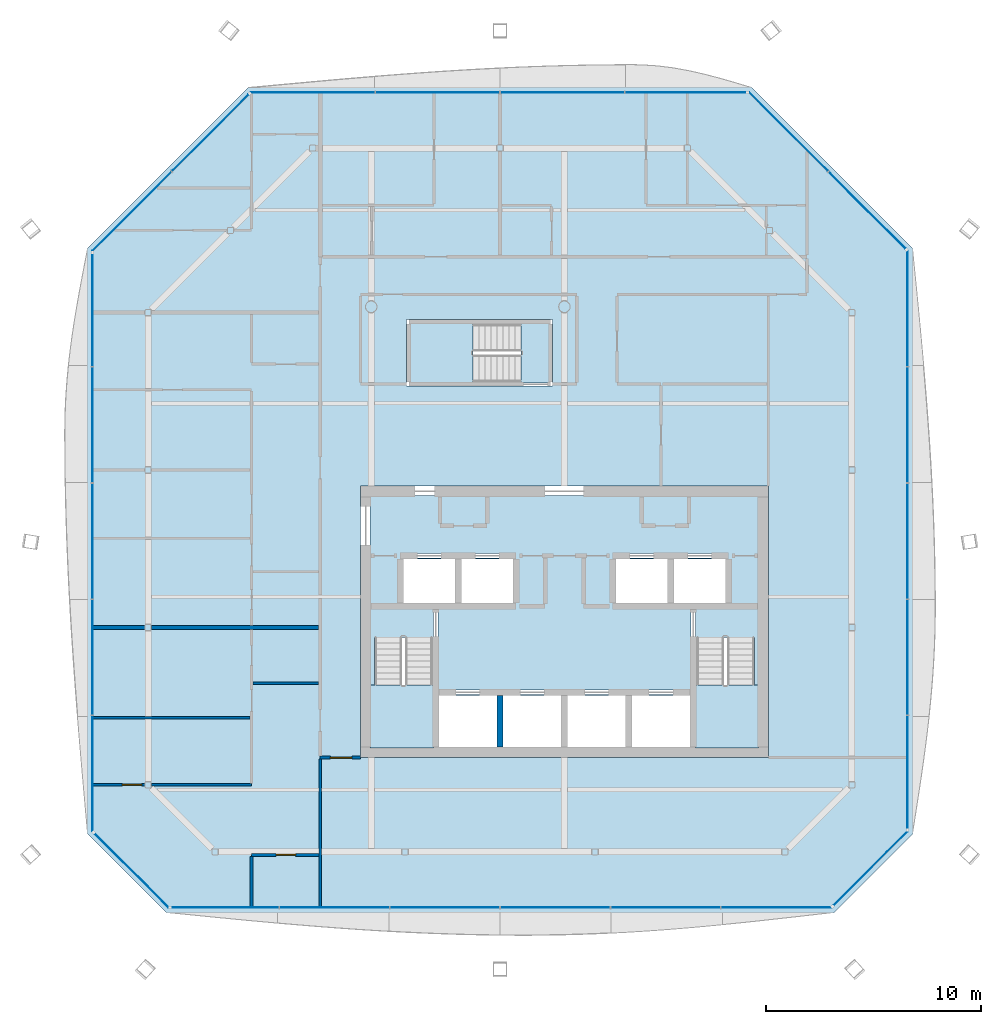
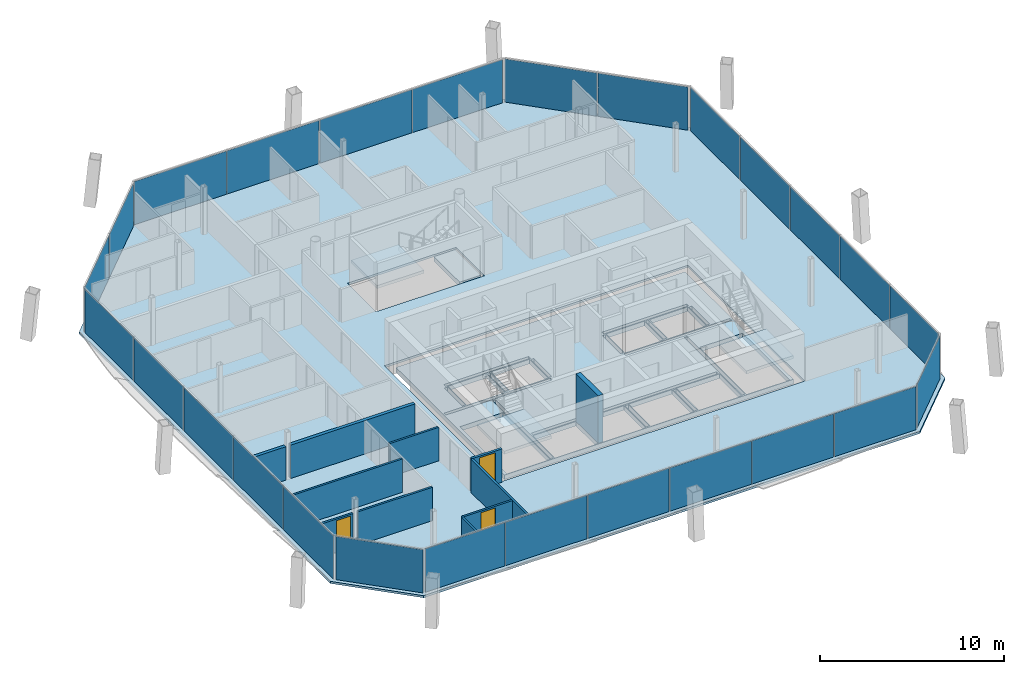
# One storey, part 11 of 18: 26 plates, 11 walls, 6 slabs, 3 doors, 3 openings, 11 elements without a shape of their own.
"""IFC4 building model written with IfcOpenShell, lengths in metres."""

import ifcopenshell
import ifcopenshell.guid

model = None  # the IFC model being written
_history = None  # IfcOwnerHistory: only IFC2X3 demands one
_inside = {}  # id of a spatial element -> (the spatial element, [elements in it])
_under = {}  # id of a project, library or spatial element -> (it, [spatial elements below it])
_declared = {}  # id of a project -> (the project, [libraries it declares])
_typed = {}  # id of a type object -> (the type object, [elements of that type])
_made_of = {}  # id of a material, layer set ... -> (it, [elements and type objects made of it])


def new_model(schema):
    """Start an empty IFC model of exactly this schema.

    Asked for "IFC4X3", IfcOpenShell would pick the latest addendum, in which some entities
    have other attributes; the version numbers below select the first issue.
    IFC2X3 requires an IfcOwnerHistory on every rooted entity: one is made here for all.
    """
    global model, _history
    if schema == "IFC4X3":
        model = ifcopenshell.file(schema_version=(4, 3, 0, 0))
    else:
        model = ifcopenshell.file(schema=schema)
    _inside.clear()
    _under.clear()
    _declared.clear()
    _typed.clear()
    _made_of.clear()
    _history = None
    if model.schema == "IFC2X3":
        org = make("IfcOrganization", Name="unknown")
        user = make(
            "IfcPersonAndOrganization",
            ThePerson=make("IfcPerson", FamilyName="unknown"),
            TheOrganization=org,
        )
        app = make(
            "IfcApplication",
            ApplicationDeveloper=org,
            Version="unknown",
            ApplicationFullName="unknown",
            ApplicationIdentifier="unknown",
        )
        _history = make(
            "IfcOwnerHistory",
            OwningUser=user,
            OwningApplication=app,
            ChangeAction="ADDED",
            CreationDate=0,
        )
    return model


def make(cls, **values):
    """One entity of the class cls with the attributes given. An attribute that is None is left unset."""
    return model.create_entity(
        cls, **{name: value for name, value in values.items() if value is not None}
    )


def rooted(cls, **values):
    """An entity with a GlobalId (a new one), such as an element, a storey or a relation."""
    return make(cls, GlobalId=ifcopenshell.guid.new(), OwnerHistory=_history, **values)


def si_unit(unit_type, name, prefix=None):
    """IfcSIUnit, for example si_unit("LENGTHUNIT", "METRE", prefix="MILLI")."""
    return make("IfcSIUnit", UnitType=unit_type, Prefix=prefix, Name=name)


def assignment(units):
    """IfcUnitAssignment: the units of a project."""
    return None if units is None else make("IfcUnitAssignment", Units=units)


def point(xyz):
    """IfcCartesianPoint."""
    return None if xyz is None else make("IfcCartesianPoint", Coordinates=xyz)


def direction(xyz):
    """IfcDirection."""
    return None if xyz is None else make("IfcDirection", DirectionRatios=xyz)


def frame(location, z_axis=None, x_axis=None):
    """IfcAxis2Placement3D, a coordinate frame: its origin and axes. An axis left out is left unset."""
    return make(
        "IfcAxis2Placement3D",
        Location=point(location),
        Axis=direction(z_axis),
        RefDirection=direction(x_axis),
    )


def frame_2d(location, x_axis=None):
    """IfcAxis2Placement2D, a coordinate frame in the plane: its origin and x axis."""
    return make(
        "IfcAxis2Placement2D", Location=point(location), RefDirection=direction(x_axis)
    )


def origin():
    """The frame at (0, 0, 0) with its axes left unset."""
    return frame((0.0, 0.0, 0.0))


def origin_2d():
    """The frame at (0, 0) in the plane with its x axis left unset."""
    return frame_2d((0.0, 0.0))


def place(relative_to, where):
    """IfcLocalPlacement: puts the frame where relative to a parent placement (None: the world)."""
    return make(
        "IfcLocalPlacement", PlacementRelTo=relative_to, RelativePlacement=where
    )


def context(
    kind, dimensions, precision=None, world=None, true_north=None, identifier=None
):
    """IfcGeometricRepresentationContext, for example the 3D "Model" context."""
    return make(
        "IfcGeometricRepresentationContext",
        ContextIdentifier=identifier,
        ContextType=kind,
        CoordinateSpaceDimension=dimensions,
        Precision=precision,
        WorldCoordinateSystem=world,
        TrueNorth=true_north,
    )


def subcontext(parent, identifier, kind, view, scale=None):
    """IfcGeometricRepresentationSubContext, for example "Body" below "Model"."""
    return make(
        "IfcGeometricRepresentationSubContext",
        ContextIdentifier=identifier,
        ContextType=kind,
        ParentContext=parent,
        TargetScale=scale,
        TargetView=view,
    )


def project(units=None, contexts=None):
    """IfcProject with its units and contexts."""
    return rooted(
        "IfcProject",
        Name="project",
        RepresentationContexts=contexts,
        UnitsInContext=assignment(units),
    )


def spatial(cls, under=None, at=None, **own):
    """A site, building, storey or space (cls), placed at a placement, below another one or the project."""
    s = rooted(cls, ObjectPlacement=at, **own)
    if under is not None:
        _under.setdefault(under.id(), (under, []))[1].append(s)
    return s


def polyline(points):
    """IfcPolyline through the points."""
    return make("IfcPolyline", Points=[point(p) for p in points])


def profile(cls, at=None, kind="AREA", **sizes):
    """A parametric profile (cls). Its sizes go by their IFC names, for example OverallWidth=200.0."""
    return make(cls, ProfileType=kind, Position=at, **sizes)


def rectangle(**sizes):
    """IfcRectangleProfileDef."""
    return profile("IfcRectangleProfileDef", **sizes)


def outline(outer, holes=None, kind="AREA"):
    """IfcArbitraryClosedProfileDef: a profile drawn as a closed curve; with holes, ...WithVoids."""
    if holes is None:
        return make("IfcArbitraryClosedProfileDef", ProfileType=kind, OuterCurve=outer)
    return make(
        "IfcArbitraryProfileDefWithVoids",
        ProfileType=kind,
        OuterCurve=outer,
        InnerCurves=holes,
    )


def extrude(swept, where, along, depth):
    """IfcExtrudedAreaSolid: the profile swept, set in the frame where, extruded along a direction by depth."""
    return make(
        "IfcExtrudedAreaSolid",
        SweptArea=swept,
        Position=where,
        ExtrudedDirection=direction(along),
        Depth=depth,
    )


def shape(context_of_items, identifier, shape_type, items):
    """IfcShapeRepresentation: the items that make up one representation, for example the "Body"."""
    return make(
        "IfcShapeRepresentation",
        ContextOfItems=context_of_items,
        RepresentationIdentifier=identifier,
        RepresentationType=shape_type,
        Items=items,
    )


def material(Name=None, Category=None):
    """IfcMaterial."""
    return make("IfcMaterial", Name=Name, Category=Category)


def layer(
    of_material, thickness, ventilated=None, Name=None, Category=None, Priority=None
):
    """IfcMaterialLayer: one layer of a wall or slab, of a material (None: an air gap)."""
    return make(
        "IfcMaterialLayer",
        Material=of_material,
        LayerThickness=thickness,
        IsVentilated=ventilated,
        Name=Name,
        Category=Category,
        Priority=Priority,
    )


def layer_set(layers, Name=None):
    """IfcMaterialLayerSet."""
    return make("IfcMaterialLayerSet", MaterialLayers=layers, LayerSetName=Name)


def made_of(thing, what):
    """Note that an element or type object is made of a material, layer set ...; save() writes the relation."""
    if what is not None:
        _made_of.setdefault(what.id(), (what, []))[1].append(thing)
    return thing


def type_object(cls, material=None, **own):
    """A type object (cls), such as IfcWallType, which elements share."""
    return made_of(rooted(cls, **own), material)


def element(
    cls,
    number,
    at=None,
    inside=None,
    cuts=None,
    type_object=None,
    material=None,
    context=None,
    identifier="Body",
    shape_type=None,
    held_by="IfcProductDefinitionShape",
    body=None,
    shapes=None,
    **own,
):
    """One element of the class cls, such as IfcWall. Its Tag is "e" and its number.

    at: its placement. inside: the storey or other place that contains it. cuts: it is an
    opening in that element (IfcRelVoidsElement). A single representation is given by context,
    identifier, shape_type and body (its items); several are given by shapes. held_by: the class
    of the entity that holds the representations. save() writes the other relations.
    """
    e = rooted(cls, Tag="e%d" % number, ObjectPlacement=at, **own)
    if body is not None:
        shapes = [shape(context, identifier, shape_type, body)]
    if shapes is not None:
        e.Representation = make(held_by, Representations=shapes)
    if inside is not None:
        _inside.setdefault(inside.id(), (inside, []))[1].append(e)
    if cuts is not None:
        rooted(
            "IfcRelVoidsElement", RelatingBuildingElement=cuts, RelatedOpeningElement=e
        )
    if type_object is not None:
        _typed.setdefault(type_object.id(), (type_object, []))[1].append(e)
    return made_of(e, material)


def fill(opening, filler):
    """IfcRelFillsElement: the door or window that sits in an opening."""
    return rooted(
        "IfcRelFillsElement",
        RelatingOpeningElement=opening,
        RelatedBuildingElement=filler,
    )


def aggregate(whole, parts):
    """IfcRelAggregates: a whole, such as a stair, and the parts it consists of."""
    return rooted("IfcRelAggregates", RelatingObject=whole, RelatedObjects=parts)


def save(model, path):
    """Write the relations noted so far, then the file.

    IfcRelAggregates (storeys below a building ...), IfcRelContainedInSpatialStructure (elements
    in a storey), IfcRelDefinesByType, IfcRelAssociatesMaterial and IfcRelDeclares: one each for
    every whole, place, type object, material and project.
    """
    for whole, parts in _under.values():
        aggregate(whole, parts)
    for where, things in _inside.values():
        rooted(
            "IfcRelContainedInSpatialStructure",
            RelatedElements=things,
            RelatingStructure=where,
        )
    for kind, things in _typed.values():
        rooted("IfcRelDefinesByType", RelatedObjects=things, RelatingType=kind)
    for what, things in _made_of.values():
        rooted("IfcRelAssociatesMaterial", RelatedObjects=things, RelatingMaterial=what)
    for by, libraries in _declared.values():
        rooted("IfcRelDeclares", RelatingContext=by, RelatedDefinitions=libraries)
    model.write(path)


model = new_model("IFC4")

# Units and contexts
model_context = context("Model", 3, precision=1e-05, world=origin(), true_north=direction((0.0, 1.0)))
body_context = subcontext(model_context, "Body", "Model", "MODEL_VIEW")
ifc_project = project(units=[si_unit("LENGTHUNIT", "METRE"), si_unit("AREAUNIT", "SQUARE_METRE"), si_unit("VOLUMEUNIT", "CUBIC_METRE"), si_unit("PLANEANGLEUNIT", "RADIAN"), si_unit("MASSUNIT", "GRAM", prefix="KILO")], contexts=[model_context])

# Site, building, storey
site_placement = place(None, origin())
site = spatial("IfcSite", under=ifc_project, at=site_placement, CompositionType="ELEMENT")
building_placement = place(site_placement, origin())
building = spatial("IfcBuilding", under=site, at=building_placement, Name="Tskaro Facet Tower", CompositionType="ELEMENT")
storey_placement = place(building_placement, frame((0.0, 0.0, 220.35009765625)))
storey = spatial("IfcBuildingStorey", under=building, at=storey_placement, Name="L56", CompositionType="ELEMENT", Elevation=220.35009765625)

# Slab
ifc_material_1 = material(Name="Concrete C30/37", Category="concrete")
ifc_layer_1 = layer(ifc_material_1, 0.139892578125, Name="Concrete C30/37")
ifc_layer_set_1 = layer_set([ifc_layer_1], Name="Concrete C30/37")
slab_type_1 = type_object("IfcSlabType", Name="Composite deck floor slab", PredefinedType="FLOOR", material=ifc_layer_set_1)
slab_1_placement = place(storey_placement, frame((0.0, 0.0, -0.14013671875)))
element("IfcSlab", 1, at=slab_1_placement, inside=storey, type_object=slab_type_1, Name="Floor slab FS3 L56", PredefinedType="FLOOR", context=body_context, shape_type="SweptSolid", body=[
    extrude(outline(polyline([(-18.5390625, -19.235107421875), (12.5390625, -19.235107421875), (16.235107421875, -15.5390625), (16.235107421875, 11.712890625), (8.712890625, 19.235107421875), (-14.712890625, 19.235107421875), (-22.235107421875, 11.712890625), (-22.235107421875, -15.5390625), (-18.5390625, -19.235107421875)]), holes=[polyline([(-9.5, -12.0), (9.5, -12.0), (9.5, 0.64990234375), (-9.5, 0.64990234375), (-9.5, -12.0)]), polyline([(-7.35009765625, 5.300048828125), (-0.550048828125, 5.300048828125), (-0.550048828125, 8.39990234375), (-7.35009765625, 8.39990234375), (-7.35009765625, 5.300048828125)])]), origin(), (0.0, 0.0, 1.0), 0.14013671875),
])

# Curtain wall, plates
ifc_material_2 = material(Name="Bronze anodised aluminium 6063-T6", Category="aluminium")
curtain_wall_type = type_object("IfcCurtainWallType", Name="Bronze residence curtain wall (FW3)", PredefinedType="NOTDEFINED", material=ifc_material_2)
curtain_wall_1_placement = place(storey_placement, origin())
curtain_wall_1 = element("IfcCurtainWall", 2, at=curtain_wall_1_placement, inside=storey, type_object=curtain_wall_type, Name="FW3 south facet L56", PredefinedType="NOTDEFINED")
ifc_material_3 = material(Name="Bronze low-iron glass", Category="glass")
ifc_layer_2 = layer(ifc_material_3, 0.028076171875, Name="Bronze low-iron glass")
ifc_layer_set_2 = layer_set([ifc_layer_2], Name="Bronze low-iron glass")
plate_type = type_object("IfcPlateType", Name="FW3 bronze-tinted unit glazing 28", PredefinedType="CURTAIN_PANEL", material=ifc_layer_set_2)
plate_1_placement = place(storey_placement, frame((-15.804931640625, -18.985107421875, 0.0), z_axis=(0.0, 0.0, 1.0), x_axis=(1.0, 0.0, 0.0)))
plate_1 = element("IfcPlate", 3, at=plate_1_placement, type_object=plate_type, Name="FW3 south glazing 1.1", PredefinedType="CURTAIN_PANEL", context=body_context, shape_type="SweptSolid", body=[
    extrude(rectangle(XDim=4.97998046875, YDim=0.028076171875, at=origin_2d()), origin(), (0.0, 0.0, 1.0), 2.860107421875),
])
plate_2_placement = place(storey_placement, frame((-10.717529296875, -18.985107421875, 0.0), z_axis=(0.0, 0.0, 1.0), x_axis=(1.0, 0.0, 0.0)))
plate_2 = element("IfcPlate", 4, at=plate_2_placement, type_object=plate_type, Name="FW3 south glazing 2.1", PredefinedType="CURTAIN_PANEL", context=body_context, shape_type="SweptSolid", body=[
    extrude(rectangle(XDim=5.094970703125, YDim=0.028076171875, at=origin_2d()), origin(), (0.0, 0.0, 1.0), 2.860107421875),
])
plate_3_placement = place(storey_placement, frame((-5.572509765625, -18.985107421875, 0.0), z_axis=(0.0, 0.0, 1.0), x_axis=(1.0, 0.0, 0.0)))
plate_3 = element("IfcPlate", 5, at=plate_3_placement, type_object=plate_type, Name="FW3 south glazing 3.1", PredefinedType="CURTAIN_PANEL", context=body_context, shape_type="SweptSolid", body=[
    extrude(rectangle(XDim=5.094970703125, YDim=0.028076171875, at=origin_2d()), origin(), (0.0, 0.0, 1.0), 2.860107421875),
])
plate_4_placement = place(storey_placement, frame((-0.427490234375, -18.985107421875, 0.0), z_axis=(0.0, 0.0, 1.0), x_axis=(1.0, 0.0, 0.0)))
plate_4 = element("IfcPlate", 6, at=plate_4_placement, type_object=plate_type, Name="FW3 south glazing 4.1", PredefinedType="CURTAIN_PANEL", context=body_context, shape_type="SweptSolid", body=[
    extrude(rectangle(XDim=5.094970703125, YDim=0.028076171875, at=origin_2d()), origin(), (0.0, 0.0, 1.0), 2.860107421875),
])
plate_5_placement = place(storey_placement, frame((4.717529296875, -18.985107421875, 0.0), z_axis=(0.0, 0.0, 1.0), x_axis=(1.0, 0.0, 0.0)))
plate_5 = element("IfcPlate", 7, at=plate_5_placement, type_object=plate_type, Name="FW3 south glazing 5.1", PredefinedType="CURTAIN_PANEL", context=body_context, shape_type="SweptSolid", body=[
    extrude(rectangle(XDim=5.094970703125, YDim=0.028076171875, at=origin_2d()), origin(), (0.0, 0.0, 1.0), 2.860107421875),
])
plate_6_placement = place(storey_placement, frame((9.875, -18.985107421875, 0.0), z_axis=(0.0, 0.0, 1.0), x_axis=(1.0, 0.0, 0.0)))
plate_6 = element("IfcPlate", 8, at=plate_6_placement, type_object=plate_type, Name="FW3 south glazing 6.1", PredefinedType="CURTAIN_PANEL", context=body_context, shape_type="SweptSolid", body=[
    extrude(rectangle(XDim=5.1201171875, YDim=0.028076171875, at=origin_2d()), origin(), (0.0, 0.0, 1.0), 2.860107421875),
])
aggregate(curtain_wall_1, [plate_1, plate_2, plate_3, plate_4, plate_5, plate_6])

# Curtain wall, plate
curtain_wall_2_placement = place(storey_placement, origin())
curtain_wall_2 = element("IfcCurtainWall", 9, at=curtain_wall_2_placement, inside=storey, type_object=curtain_wall_type, Name="FW3 south-east facet L56", PredefinedType="NOTDEFINED")
plate_7_placement = place(storey_placement, frame((14.259521484375, -17.160400390625, 0.0), z_axis=(0.0, 0.0, 1.0), x_axis=(0.707106781187, 0.707106781187, 0.0)))
plate_7 = element("IfcPlate", 10, at=plate_7_placement, type_object=plate_type, Name="FW3 south-east glazing 1.1", PredefinedType="CURTAIN_PANEL", context=body_context, shape_type="SweptSolid", body=[
    extrude(rectangle(XDim=4.88037109375, YDim=0.028076171875, at=origin_2d()), origin(), (0.0, 0.0, 1.0), 2.860107421875),
])
aggregate(curtain_wall_2, [plate_7])

# Curtain wall, plates
curtain_wall_3_placement = place(storey_placement, origin())
curtain_wall_3 = element("IfcCurtainWall", 11, at=curtain_wall_3_placement, inside=storey, type_object=curtain_wall_type, Name="FW3 east facet L56", PredefinedType="NOTDEFINED")
plate_8_placement = place(storey_placement, frame((15.985107421875, -12.673095703125, 0.0), z_axis=(0.0, 0.0, 1.0), x_axis=(0.0, 1.0, 0.0)))
plate_8 = element("IfcPlate", 12, at=plate_8_placement, type_object=plate_type, Name="FW3 east glazing 1.1", PredefinedType="CURTAIN_PANEL", context=body_context, shape_type="SweptSolid", body=[
    extrude(rectangle(XDim=5.243896484375, YDim=0.028076171875, at=origin_2d()), origin(), (0.0, 0.0, 1.0), 2.860107421875),
])
plate_9_placement = place(storey_placement, frame((15.985107421875, -7.32177734375, 0.0), z_axis=(0.0, 0.0, 1.0), x_axis=(0.0, 1.0, 0.0)))
plate_9 = element("IfcPlate", 13, at=plate_9_placement, type_object=plate_type, Name="FW3 east glazing 2.1", PredefinedType="CURTAIN_PANEL", context=body_context, shape_type="SweptSolid", body=[
    extrude(rectangle(XDim=5.35888671875, YDim=0.028076171875, at=origin_2d()), origin(), (0.0, 0.0, 1.0), 2.860107421875),
])
plate_10_placement = place(storey_placement, frame((15.985107421875, -1.9130859375, 0.0), z_axis=(0.0, 0.0, 1.0), x_axis=(0.0, 1.0, 0.0)))
plate_10 = element("IfcPlate", 14, at=plate_10_placement, type_object=plate_type, Name="FW3 east glazing 3.1", PredefinedType="CURTAIN_PANEL", context=body_context, shape_type="SweptSolid", body=[
    extrude(rectangle(XDim=5.35888671875, YDim=0.028076171875, at=origin_2d()), origin(), (0.0, 0.0, 1.0), 2.860107421875),
])
plate_11_placement = place(storey_placement, frame((15.985107421875, 3.495849609375, 0.0), z_axis=(0.0, 0.0, 1.0), x_axis=(0.0, 1.0, 0.0)))
plate_11 = element("IfcPlate", 15, at=plate_11_placement, type_object=plate_type, Name="FW3 east glazing 4.1", PredefinedType="CURTAIN_PANEL", context=body_context, shape_type="SweptSolid", body=[
    extrude(rectangle(XDim=5.35888671875, YDim=0.028076171875, at=origin_2d()), origin(), (0.0, 0.0, 1.0), 2.860107421875),
])
plate_12_placement = place(storey_placement, frame((15.985107421875, 8.9169921875, 0.0), z_axis=(0.0, 0.0, 1.0), x_axis=(0.0, 1.0, 0.0)))
plate_12 = element("IfcPlate", 16, at=plate_12_placement, type_object=plate_type, Name="FW3 east glazing 5.1", PredefinedType="CURTAIN_PANEL", context=body_context, shape_type="SweptSolid", body=[
    extrude(rectangle(XDim=5.3837890625, YDim=0.028076171875, at=origin_2d()), origin(), (0.0, 0.0, 1.0), 2.860107421875),
])
aggregate(curtain_wall_3, [plate_8, plate_9, plate_10, plate_11, plate_12])

curtain_wall_4_placement = place(storey_placement, origin())
curtain_wall_4 = element("IfcCurtainWall", 17, at=curtain_wall_4_placement, inside=storey, type_object=curtain_wall_type, Name="FW3 north-east facet L56", PredefinedType="NOTDEFINED")
plate_13_placement = place(storey_placement, frame((14.100341796875, 13.49365234375, 0.0), z_axis=(0.0, 0.0, 1.0), x_axis=(-0.707106781187, 0.707106781187, 0.0)))
plate_13 = element("IfcPlate", 18, at=plate_13_placement, type_object=plate_type, Name="FW3 north-east glazing 1.1", PredefinedType="CURTAIN_PANEL", context=body_context, shape_type="SweptSolid", body=[
    extrude(rectangle(XDim=5.050537109375, YDim=0.028076171875, at=origin_2d()), origin(), (0.0, 0.0, 1.0), 2.860107421875),
])
plate_14_placement = place(storey_placement, frame((10.444091796875, 17.14990234375, 0.0), z_axis=(0.0, 0.0, 1.0), x_axis=(-0.707106781187, 0.707106781187, 0.0)))
plate_14 = element("IfcPlate", 19, at=plate_14_placement, type_object=plate_type, Name="FW3 north-east glazing 2.1", PredefinedType="CURTAIN_PANEL", context=body_context, shape_type="SweptSolid", body=[
    extrude(rectangle(XDim=5.190673828125, YDim=0.028076171875, at=origin_2d()), origin(), (0.0, 0.0, 1.0), 2.860107421875),
])
aggregate(curtain_wall_4, [plate_13, plate_14])

curtain_wall_5_placement = place(storey_placement, origin())
curtain_wall_5 = element("IfcCurtainWall", 20, at=curtain_wall_5_placement, inside=storey, type_object=curtain_wall_type, Name="FW3 north facet L56", PredefinedType="NOTDEFINED")
plate_15_placement = place(storey_placement, frame((5.649169921875, 18.985107421875, 0.0), z_axis=(0.0, 0.0, 1.0), x_axis=(-1.0, 0.0, 0.0)))
plate_15 = element("IfcPlate", 21, at=plate_15_placement, type_object=plate_type, Name="FW3 north glazing 1.1", PredefinedType="CURTAIN_PANEL", context=body_context, shape_type="SweptSolid", body=[
    extrude(rectangle(XDim=5.639404296875, YDim=0.028076171875, at=origin_2d()), origin(), (0.0, 0.0, 1.0), 2.860107421875),
])
plate_16_placement = place(storey_placement, frame((-0.09765625, 18.985107421875, 0.0), z_axis=(0.0, 0.0, 1.0), x_axis=(-1.0, 0.0, 0.0)))
plate_16 = element("IfcPlate", 22, at=plate_16_placement, type_object=plate_type, Name="FW3 north glazing 2.1", PredefinedType="CURTAIN_PANEL", context=body_context, shape_type="SweptSolid", body=[
    extrude(rectangle(XDim=5.75439453125, YDim=0.028076171875, at=origin_2d()), origin(), (0.0, 0.0, 1.0), 2.860107421875),
])
plate_17_placement = place(storey_placement, frame((-5.90234375, 18.985107421875, 0.0), z_axis=(0.0, 0.0, 1.0), x_axis=(-1.0, 0.0, 0.0)))
plate_17 = element("IfcPlate", 23, at=plate_17_placement, type_object=plate_type, Name="FW3 north glazing 3.1", PredefinedType="CURTAIN_PANEL", context=body_context, shape_type="SweptSolid", body=[
    extrude(rectangle(XDim=5.75439453125, YDim=0.028076171875, at=origin_2d()), origin(), (0.0, 0.0, 1.0), 2.860107421875),
])
plate_18_placement = place(storey_placement, frame((-11.71923828125, 18.985107421875, 0.0), z_axis=(0.0, 0.0, 1.0), x_axis=(-1.0, 0.0, 0.0)))
plate_18 = element("IfcPlate", 24, at=plate_18_placement, type_object=plate_type, Name="FW3 north glazing 4.1", PredefinedType="CURTAIN_PANEL", context=body_context, shape_type="SweptSolid", body=[
    extrude(rectangle(XDim=5.779541015625, YDim=0.028076171875, at=origin_2d()), origin(), (0.0, 0.0, 1.0), 2.860107421875),
])
aggregate(curtain_wall_5, [plate_15, plate_16, plate_17, plate_18])

curtain_wall_6_placement = place(storey_placement, origin())
curtain_wall_6 = element("IfcCurtainWall", 25, at=curtain_wall_6_placement, inside=storey, type_object=curtain_wall_type, Name="FW3 north-west facet L56", PredefinedType="NOTDEFINED")
plate_19_placement = place(storey_placement, frame((-16.49365234375, 17.100341796875, 0.0), z_axis=(0.0, 0.0, 1.0), x_axis=(-0.707106781187, -0.707106781187, 0.0)))
plate_19 = element("IfcPlate", 26, at=plate_19_placement, type_object=plate_type, Name="FW3 north-west glazing 1.1", PredefinedType="CURTAIN_PANEL", context=body_context, shape_type="SweptSolid", body=[
    extrude(rectangle(XDim=5.050537109375, YDim=0.028076171875, at=origin_2d()), origin(), (0.0, 0.0, 1.0), 2.860107421875),
])
plate_20_placement = place(storey_placement, frame((-20.14990234375, 13.444091796875, 0.0), z_axis=(0.0, 0.0, 1.0), x_axis=(-0.707106781187, -0.707106781187, 0.0)))
plate_20 = element("IfcPlate", 27, at=plate_20_placement, type_object=plate_type, Name="FW3 north-west glazing 2.1", PredefinedType="CURTAIN_PANEL", context=body_context, shape_type="SweptSolid", body=[
    extrude(rectangle(XDim=5.190673828125, YDim=0.028076171875, at=origin_2d()), origin(), (0.0, 0.0, 1.0), 2.860107421875),
])
aggregate(curtain_wall_6, [plate_19, plate_20])

curtain_wall_7_placement = place(storey_placement, origin())
curtain_wall_7 = element("IfcCurtainWall", 28, at=curtain_wall_7_placement, inside=storey, type_object=curtain_wall_type, Name="FW3 west facet L56", PredefinedType="NOTDEFINED")
plate_21_placement = place(storey_placement, frame((-21.985107421875, 8.84716796875, 0.0), z_axis=(0.0, 0.0, 1.0), x_axis=(0.0, -1.0, 0.0)))
plate_21 = element("IfcPlate", 29, at=plate_21_placement, type_object=plate_type, Name="FW3 west glazing 1.1", PredefinedType="CURTAIN_PANEL", context=body_context, shape_type="SweptSolid", body=[
    extrude(rectangle(XDim=5.243896484375, YDim=0.028076171875, at=origin_2d()), origin(), (0.0, 0.0, 1.0), 2.860107421875),
])
plate_22_placement = place(storey_placement, frame((-21.985107421875, 3.495849609375, 0.0), z_axis=(0.0, 0.0, 1.0), x_axis=(0.0, -1.0, 0.0)))
plate_22 = element("IfcPlate", 30, at=plate_22_placement, type_object=plate_type, Name="FW3 west glazing 2.1", PredefinedType="CURTAIN_PANEL", context=body_context, shape_type="SweptSolid", body=[
    extrude(rectangle(XDim=5.35888671875, YDim=0.028076171875, at=origin_2d()), origin(), (0.0, 0.0, 1.0), 2.860107421875),
])
plate_23_placement = place(storey_placement, frame((-21.985107421875, -1.9130859375, 0.0), z_axis=(0.0, 0.0, 1.0), x_axis=(0.0, -1.0, 0.0)))
plate_23 = element("IfcPlate", 31, at=plate_23_placement, type_object=plate_type, Name="FW3 west glazing 3.1", PredefinedType="CURTAIN_PANEL", context=body_context, shape_type="SweptSolid", body=[
    extrude(rectangle(XDim=5.35888671875, YDim=0.028076171875, at=origin_2d()), origin(), (0.0, 0.0, 1.0), 2.860107421875),
])
plate_24_placement = place(storey_placement, frame((-21.985107421875, -7.32177734375, 0.0), z_axis=(0.0, 0.0, 1.0), x_axis=(0.0, -1.0, 0.0)))
plate_24 = element("IfcPlate", 32, at=plate_24_placement, type_object=plate_type, Name="FW3 west glazing 4.1", PredefinedType="CURTAIN_PANEL", context=body_context, shape_type="SweptSolid", body=[
    extrude(rectangle(XDim=5.35888671875, YDim=0.028076171875, at=origin_2d()), origin(), (0.0, 0.0, 1.0), 2.860107421875),
])
plate_25_placement = place(storey_placement, frame((-21.985107421875, -12.7431640625, 0.0), z_axis=(0.0, 0.0, 1.0), x_axis=(0.0, -1.0, 0.0)))
plate_25 = element("IfcPlate", 33, at=plate_25_placement, type_object=plate_type, Name="FW3 west glazing 5.1", PredefinedType="CURTAIN_PANEL", context=body_context, shape_type="SweptSolid", body=[
    extrude(rectangle(XDim=5.3837890625, YDim=0.028076171875, at=origin_2d()), origin(), (0.0, 0.0, 1.0), 2.860107421875),
])
aggregate(curtain_wall_7, [plate_21, plate_22, plate_23, plate_24, plate_25])

# Curtain wall, plate
curtain_wall_8_placement = place(storey_placement, origin())
curtain_wall_8 = element("IfcCurtainWall", 34, at=curtain_wall_8_placement, inside=storey, type_object=curtain_wall_type, Name="FW3 south-west facet L56", PredefinedType="NOTDEFINED")
plate_26_placement = place(storey_placement, frame((-20.160400390625, -17.259521484375, 0.0), z_axis=(0.0, 0.0, 1.0), x_axis=(0.707106781187, -0.707106781187, 0.0)))
plate_26 = element("IfcPlate", 35, at=plate_26_placement, type_object=plate_type, Name="FW3 south-west glazing 1.1", PredefinedType="CURTAIN_PANEL", context=body_context, shape_type="SweptSolid", body=[
    extrude(rectangle(XDim=4.88037109375, YDim=0.028076171875, at=origin_2d()), origin(), (0.0, 0.0, 1.0), 2.860107421875),
])
aggregate(curtain_wall_8, [plate_26])

# Stair, slab
ifc_material_4 = material(Name="Concrete C40/50", Category="concrete")
stair_type = type_object("IfcStairType", Name="ST-TWR", PredefinedType="HALF_TURN_STAIR", material=ifc_material_4)
stair_1_placement = place(storey_placement, origin())
stair_1 = element("IfcStair", 36, at=stair_1_placement, inside=storey, type_object=stair_type, Name="L56 Exit stair 1", PredefinedType="HALF_TURN_STAIR")
ifc_layer_3 = layer(ifc_material_4, 0.199951171875, Name="Concrete C40/50")
ifc_layer_set_3 = layer_set([ifc_layer_3], Name="Concrete C40/50")
slab_type_2 = type_object("IfcSlabType", Name="SL-LANDING", PredefinedType="LANDING", material=ifc_layer_set_3)
slab_2_placement = place(storey_placement, frame((0.0, 0.0, 1.375)))
slab_2 = element("IfcSlab", 37, at=slab_2_placement, type_object=slab_type_2, Name="ST-1 landing 1", PredefinedType="LANDING", context=body_context, shape_type="SweptSolid", body=[
    extrude(outline(polyline([(-9.050048828125, -11.550048828125), (-6.10009765625, -11.550048828125), (-6.10009765625, -8.614990234375), (-9.050048828125, -8.614990234375), (-9.050048828125, -11.550048828125)])), origin(), (0.0, 0.0, 1.0), 0.199951171875),
])
aggregate(stair_1, [slab_2])

stair_2_placement = place(storey_placement, origin())
stair_2 = element("IfcStair", 38, at=stair_2_placement, inside=storey, type_object=stair_type, Name="L56 Exit stair 2", PredefinedType="HALF_TURN_STAIR")
slab_3_placement = place(storey_placement, frame((0.0, 0.0, 1.375)))
slab_3 = element("IfcSlab", 39, at=slab_3_placement, type_object=slab_type_2, Name="ST-2 landing 1", PredefinedType="LANDING", context=body_context, shape_type="SweptSolid", body=[
    extrude(outline(polyline([(6.10009765625, -11.550048828125), (9.050048828125, -11.550048828125), (9.050048828125, -8.614990234375), (6.10009765625, -8.614990234375), (6.10009765625, -11.550048828125)])), origin(), (0.0, 0.0, 1.0), 0.199951171875),
])
aggregate(stair_2, [slab_3])

stair_3_placement = place(storey_placement, origin())
stair_3 = element("IfcStair", 40, at=stair_3_placement, inside=storey, type_object=stair_type, Name="L56 Exit stair 3", PredefinedType="HALF_TURN_STAIR")
slab_4_placement = place(storey_placement, frame((0.0, 0.0, 1.375)))
slab_4 = element("IfcSlab", 41, at=slab_4_placement, type_object=slab_type_2, Name="ST-3 landing 1", PredefinedType="LANDING", context=body_context, shape_type="SweptSolid", body=[
    extrude(outline(polyline([(-7.199951171875, 5.449951171875), (-4.264892578125, 5.449951171875), (-4.264892578125, 8.25), (-7.199951171875, 8.25), (-7.199951171875, 5.449951171875)])), origin(), (0.0, 0.0, 1.0), 0.199951171875),
])
aggregate(stair_3, [slab_4])

# Slabs
ifc_material_5 = material(Name="Concrete C60/75", Category="concrete")
ifc_layer_4 = layer(ifc_material_5, 0.300048828125, Name="Concrete C60/75")
ifc_layer_set_4 = layer_set([ifc_layer_4], Name="Concrete C60/75")
slab_type_3 = type_object("IfcSlabType", Name="SLAB-CORE", PredefinedType="FLOOR", material=ifc_layer_set_4)
slab_5_placement = place(storey_placement, frame((0.0, 0.0, -0.300048828125)))
element("IfcSlab", 42, at=slab_5_placement, inside=storey, type_object=slab_type_3, Name="Core floor slab 1", PredefinedType="FLOOR", context=body_context, shape_type="SweptSolid", body=[
    extrude(outline(polyline([(-9.050048828125, 0.199951171875), (9.050048828125, 0.199951171875), (9.050048828125, 0.10009765625), (9.050048828125, -11.449951171875), (9.050048828125, -11.550048828125), (-9.050048828125, -11.550048828125), (-9.050048828125, -11.449951171875), (-9.050048828125, 0.10009765625), (-9.050048828125, 0.199951171875)]), holes=[polyline([(-5.85009765625, -9.10009765625), (-5.85009765625, -11.5), (-3.14990234375, -11.5), (-3.14990234375, -9.10009765625), (-5.85009765625, -9.10009765625)]), polyline([(-3.10009765625, -11.449951171875), (-2.89990234375, -11.449951171875), (-2.89990234375, -9.14990234375), (-3.10009765625, -9.14990234375), (-3.10009765625, -11.449951171875)]), polyline([(-2.85009765625, -9.10009765625), (-2.85009765625, -11.5), (-0.14990234375, -11.5), (-0.14990234375, -9.10009765625), (-2.85009765625, -9.10009765625)]), polyline([(-6.10009765625, -11.449951171875), (-5.89990234375, -11.449951171875), (-5.89990234375, -5.14990234375), (-6.10009765625, -5.14990234375), (-6.10009765625, -11.449951171875)]), polyline([(-8.949951171875, -5.050048828125), (-2.300048828125, -5.050048828125), (-2.300048828125, -4.85009765625), (-8.949951171875, -4.85009765625), (-8.949951171875, -5.050048828125)]), polyline([(-7.75, -4.75), (-7.550048828125, -4.75), (-7.550048828125, -2.800048828125), (-7.75, -2.800048828125), (-7.75, -4.75)]), polyline([(-5.10009765625, -2.75), (-7.5, -2.75), (-7.5, -4.800048828125), (-5.10009765625, -4.800048828125), (-5.10009765625, -2.75)]), polyline([(-5.050048828125, -4.75), (-4.85009765625, -4.75), (-4.85009765625, -2.800048828125), (-5.050048828125, -2.800048828125), (-5.050048828125, -4.75)]), polyline([(-2.39990234375, -4.800048828125), (-2.39990234375, -2.75), (-4.800048828125, -2.75), (-4.800048828125, -4.800048828125), (-2.39990234375, -4.800048828125)]), polyline([(-2.35009765625, -4.75), (-2.14990234375, -4.75), (-2.14990234375, -2.800048828125), (-2.35009765625, -2.800048828125), (-2.35009765625, -4.75)]), polyline([(-7.60009765625, -2.699951171875), (-2.300048828125, -2.699951171875), (-2.300048828125, -2.5), (-7.60009765625, -2.5), (-7.60009765625, -2.699951171875)]), polyline([(-0.10009765625, -11.449951171875), (0.10009765625, -11.449951171875), (0.10009765625, -9.14990234375), (-0.10009765625, -9.14990234375), (-0.10009765625, -11.449951171875)]), polyline([(0.14990234375, -9.10009765625), (0.14990234375, -11.5), (2.85009765625, -11.5), (2.85009765625, -9.10009765625), (0.14990234375, -9.10009765625)]), polyline([(2.89990234375, -11.449951171875), (3.10009765625, -11.449951171875), (3.10009765625, -9.14990234375), (2.89990234375, -9.14990234375), (2.89990234375, -11.449951171875)]), polyline([(3.14990234375, -9.10009765625), (3.14990234375, -11.5), (5.85009765625, -11.5), (5.85009765625, -9.10009765625), (3.14990234375, -9.10009765625)]), polyline([(-5.800048828125, -9.050048828125), (5.800048828125, -9.050048828125), (5.800048828125, -8.85009765625), (-5.800048828125, -8.85009765625), (-5.800048828125, -9.050048828125)]), polyline([(5.89990234375, -11.449951171875), (6.10009765625, -11.449951171875), (6.10009765625, -5.14990234375), (5.89990234375, -5.14990234375), (5.89990234375, -11.449951171875)]), polyline([(2.300048828125, -5.050048828125), (8.949951171875, -5.050048828125), (8.949951171875, -4.85009765625), (2.300048828125, -4.85009765625), (2.300048828125, -5.050048828125)]), polyline([(2.14990234375, -4.75), (2.35009765625, -4.75), (2.35009765625, -2.800048828125), (2.14990234375, -2.800048828125), (2.14990234375, -4.75)]), polyline([(2.39990234375, -2.75), (2.39990234375, -4.800048828125), (4.800048828125, -4.800048828125), (4.800048828125, -2.75), (2.39990234375, -2.75)]), polyline([(4.85009765625, -4.75), (5.050048828125, -4.75), (5.050048828125, -2.800048828125), (4.85009765625, -2.800048828125), (4.85009765625, -4.75)]), polyline([(7.5, -4.800048828125), (7.5, -2.75), (5.10009765625, -2.75), (5.10009765625, -4.800048828125), (7.5, -4.800048828125)]), polyline([(7.550048828125, -4.75), (7.75, -4.75), (7.75, -2.800048828125), (7.550048828125, -2.800048828125), (7.550048828125, -4.75)]), polyline([(2.300048828125, -2.699951171875), (7.60009765625, -2.699951171875), (7.60009765625, -2.5), (2.300048828125, -2.5), (2.300048828125, -2.699951171875)]), polyline([(-8.85009765625, -11.5), (-6.14990234375, -11.5), (-6.14990234375, -6.39501953125), (-8.85009765625, -6.39501953125), (-8.85009765625, -11.5)]), polyline([(6.14990234375, -6.39501953125), (6.14990234375, -11.5), (8.85009765625, -11.5), (8.85009765625, -6.39501953125), (6.14990234375, -6.39501953125)])]), origin(), (0.0, 0.0, 1.0), 0.300048828125),
])
slab_6_placement = place(storey_placement, frame((0.0, 0.0, -0.300048828125)))
element("IfcSlab", 43, at=slab_6_placement, inside=storey, type_object=slab_type_3, Name="Stair 3 floor landing 1", PredefinedType="FLOOR", context=body_context, shape_type="SweptSolid", body=[
    extrude(outline(polyline([(-2.02490234375, 5.449951171875), (-0.699951171875, 5.449951171875), (-0.699951171875, 8.25), (-2.02490234375, 8.25), (-2.02490234375, 5.449951171875)])), origin(), (0.0, 0.0, 1.0), 0.300048828125),
])

# Wall
ifc_layer_5 = layer(ifc_material_5, 0.300048828125, Name="Concrete C60/75")
ifc_layer_set_5 = layer_set([ifc_layer_5], Name="Concrete C60/75")
wall_type_1 = type_object("IfcWallType", Name="CORE-SHAFT", PredefinedType="SHEAR", material=ifc_layer_set_5)
wall_1_placement = place(storey_placement, frame((-3.0, -11.5, 0.0), z_axis=(0.0, 0.0, 1.0), x_axis=(0.0, 1.0, 0.0)))
element("IfcWall", 44, at=wall_1_placement, inside=storey, type_object=wall_type_1, Name="Shaft wall W062", PredefinedType="SHEAR", context=body_context, shape_type="SweptSolid", body=[
    extrude(rectangle(XDim=2.39990234375, YDim=0.300048828125, at=frame_2d((1.199951171875, 0.0))), origin(), (0.0, 0.0, 1.0), 3.14990234375),
])

# Wall, opening, door
ifc_material_6 = material(Name="Gypsum board on steel studs", Category="steel")
ifc_layer_6 = layer(ifc_material_6, 0.125, Name="Gypsum board on steel studs")
ifc_layer_set_6 = layer_set([ifc_layer_6], Name="Gypsum board on steel studs")
wall_type_2 = type_object("IfcWallType", Name="PART", PredefinedType="PARTITIONING", material=ifc_layer_set_6)
wall_2_placement = place(storey_placement, frame((-11.4375, -16.534912109375, 0.0), z_axis=(0.0, 0.0, 1.0), x_axis=(-1.0, 0.0, 0.0)))
wall_2 = element("IfcWall", 45, at=wall_2_placement, inside=storey, type_object=wall_type_2, Name="Partition W001", PredefinedType="PARTITIONING", context=body_context, shape_type="SweptSolid", body=[
    extrude(rectangle(XDim=3.137451171875, YDim=0.125, at=frame_2d((1.56884765625, 0.0))), origin(), (0.0, 0.0, 1.0), 2.2099609375),
])
opening_1_placement = place(wall_2_placement, frame((1.08740234375, 0.0, 0.0)))
opening_1 = element("IfcOpeningElement", 46, at=opening_1_placement, cuts=wall_2, Name="Opening T16-D01", PredefinedType="OPENING", context=body_context, shape_type="SweptSolid", body=[
    extrude(rectangle(XDim=0.89990234375, YDim=2.10009765625, at=frame_2d((0.449951171875, 1.050048828125))), frame((0.0, 0.072509765625, 0.0), z_axis=(0.0, -1.0, 0.0), x_axis=(1.0, 0.0, 0.0)), (0.0, 0.0, 1.0), 0.14501953125),
])
ifc_material_7 = material(Name="Timber", Category="wood")
door_type_1 = type_object("IfcDoorType", Name="D-ROOM", OperationType="NOTDEFINED", PredefinedType="DOOR", material=ifc_material_7)
door_1_placement = place(opening_1_placement, origin())
door_1 = element("IfcDoor", 47, at=door_1_placement, inside=storey, type_object=door_type_1, Name="Door T16-D01", OperationType="SINGLE_SWING_RIGHT", OverallHeight=2.10009765625, OverallWidth=0.89990234375, PredefinedType="DOOR", context=body_context, shape_type="SweptSolid", body=[
    extrude(rectangle(XDim=0.89990234375, YDim=2.10009765625, at=frame_2d((0.449951171875, 1.050048828125))), frame((0.0, 0.02490234375, 0.0), z_axis=(0.0, -1.0, 0.0), x_axis=(1.0, 0.0, 0.0)), (0.0, 0.0, 1.0), 0.050048828125),
])
fill(opening_1, door_1)

wall_3_placement = place(storey_placement, frame((-21.93505859375, -13.27001953125, 0.0), z_axis=(0.0, 0.0, 1.0), x_axis=(1.0, 0.0, 0.0)))
wall_3 = element("IfcWall", 48, at=wall_3_placement, inside=storey, type_object=wall_type_2, Name="Partition W002", PredefinedType="PARTITIONING", context=body_context, shape_type="SweptSolid", body=[
    extrude(rectangle(XDim=2.39404296875, YDim=0.125, at=frame_2d((1.197021484375, 0.0))), origin(), (0.0, 0.0, 1.0), 2.2099609375),
])
opening_2_placement = place(wall_3_placement, frame((1.343994140625, 0.0, 0.0)))
opening_2 = element("IfcOpeningElement", 49, at=opening_2_placement, cuts=wall_3, Name="Opening T16-D02", PredefinedType="OPENING", context=body_context, shape_type="SweptSolid", body=[
    extrude(rectangle(XDim=0.89990234375, YDim=2.10009765625, at=frame_2d((0.449951171875, 1.050048828125))), frame((0.0, 0.072509765625, 0.0), z_axis=(0.0, -1.0, 0.0), x_axis=(1.0, 0.0, 0.0)), (0.0, 0.0, 1.0), 0.14501953125),
])
door_2_placement = place(opening_2_placement, origin())
door_2 = element("IfcDoor", 50, at=door_2_placement, inside=storey, type_object=door_type_1, Name="Door T16-D02", OperationType="SINGLE_SWING_LEFT", OverallHeight=2.10009765625, OverallWidth=0.89990234375, PredefinedType="DOOR", context=body_context, shape_type="SweptSolid", body=[
    extrude(rectangle(XDim=0.89990234375, YDim=2.10009765625, at=frame_2d((0.449951171875, 1.050048828125))), frame((0.0, 0.02490234375, 0.0), z_axis=(0.0, -1.0, 0.0), x_axis=(1.0, 0.0, 0.0)), (0.0, 0.0, 1.0), 0.050048828125),
])
fill(opening_2, door_2)

# Walls
wall_4_placement = place(storey_placement, frame((-19.240966796875, -13.27001953125, 0.0), z_axis=(0.0, 0.0, 1.0), x_axis=(1.0, 0.0, 0.0)))
element("IfcWall", 51, at=wall_4_placement, inside=storey, type_object=wall_type_2, Name="Partition W003", PredefinedType="PARTITIONING", context=body_context, shape_type="SweptSolid", body=[
    extrude(rectangle(XDim=4.666015625, YDim=0.125, at=frame_2d((2.3330078125, 0.0))), origin(), (0.0, 0.0, 1.0), 2.2099609375),
])
wall_5_placement = place(storey_placement, frame((-21.93505859375, -10.139892578125, 0.0), z_axis=(0.0, 0.0, 1.0), x_axis=(1.0, 0.0, 0.0)))
element("IfcWall", 52, at=wall_5_placement, inside=storey, type_object=wall_type_2, Name="Partition W006", PredefinedType="PARTITIONING", context=body_context, shape_type="SweptSolid", body=[
    extrude(rectangle(XDim=7.297607421875, YDim=0.125, at=frame_2d((3.64892578125, 0.0))), origin(), (0.0, 0.0, 1.0), 2.2099609375),
])
wall_6_placement = place(storey_placement, frame((-14.512451171875, -8.5400390625, 0.0), z_axis=(0.0, 0.0, 1.0), x_axis=(1.0, 0.0, 0.0)))
element("IfcWall", 53, at=wall_6_placement, inside=storey, type_object=wall_type_2, Name="Partition W008", PredefinedType="PARTITIONING", context=body_context, shape_type="SweptSolid", body=[
    extrude(rectangle(XDim=3.0625, YDim=0.125, at=frame_2d((1.53125, 0.0))), origin(), (0.0, 0.0, 1.0), 2.2099609375),
])
wall_7_placement = place(storey_placement, frame((-14.574951171875, -18.93505859375, 0.0), z_axis=(0.0, 0.0, 1.0), x_axis=(0.0, 1.0, 0.0)))
element("IfcWall", 54, at=wall_7_placement, inside=storey, type_object=wall_type_2, Name="Partition W046", PredefinedType="PARTITIONING", context=body_context, shape_type="SweptSolid", body=[
    extrude(rectangle(XDim=2.337646484375, YDim=0.125, at=frame_2d((1.1689453125, 0.0))), origin(), (0.0, 0.0, 1.0), 2.2099609375),
])
wall_8_placement = place(storey_placement, frame((-11.375, -18.93505859375, 0.0), z_axis=(0.0, 0.0, 1.0), x_axis=(0.0, 1.0, 0.0)))
element("IfcWall", 55, at=wall_8_placement, inside=storey, type_object=wall_type_2, Name="Partition W050", PredefinedType="PARTITIONING", context=body_context, shape_type="SweptSolid", body=[
    extrude(rectangle(XDim=6.860107421875, YDim=0.125, at=frame_2d((3.43017578125, 0.0))), origin(), (0.0, 0.0, 1.0), 2.2099609375),
])

# Wall, opening, door
ifc_layer_7 = layer(ifc_material_6, 0.14990234375, Name="Gypsum board on steel studs")
ifc_layer_set_7 = layer_set([ifc_layer_7], Name="Gypsum board on steel studs")
wall_type_3 = type_object("IfcWallType", Name="PART-CORR", PredefinedType="PARTITIONING", material=ifc_layer_set_7)
wall_9_placement = place(storey_placement, frame((-9.5, -12.0, 0.0), z_axis=(0.0, 0.0, 1.0), x_axis=(-1.0, 0.0, 0.0)))
wall_9 = element("IfcWall", 56, at=wall_9_placement, inside=storey, type_object=wall_type_3, Name="Corridor wall W004", PredefinedType="PARTITIONING", context=body_context, shape_type="SweptSolid", body=[
    extrude(rectangle(XDim=1.875, YDim=0.14990234375, at=frame_2d((0.9375, 0.0))), origin(), (0.0, 0.0, 1.0), 2.2099609375),
])
opening_3_placement = place(wall_9_placement, frame((0.39990234375, 0.0, 0.0)))
opening_3 = element("IfcOpeningElement", 57, at=opening_3_placement, cuts=wall_9, Name="Opening T16-D03", PredefinedType="OPENING", context=body_context, shape_type="SweptSolid", body=[
    extrude(rectangle(XDim=1.0, YDim=2.10009765625, at=frame_2d((0.5, 1.050048828125))), frame((0.0, 0.0849609375, 0.0), z_axis=(0.0, -1.0, 0.0), x_axis=(1.0, 0.0, 0.0)), (0.0, 0.0, 1.0), 0.169921875),
])
door_type_2 = type_object("IfcDoorType", Name="D-ROOM-WIDE", OperationType="NOTDEFINED", PredefinedType="DOOR", material=ifc_material_7)
door_3_placement = place(opening_3_placement, origin())
door_3 = element("IfcDoor", 58, at=door_3_placement, inside=storey, type_object=door_type_2, Name="Door T16-D03", OperationType="SINGLE_SWING_RIGHT", OverallHeight=2.10009765625, OverallWidth=1.0, PredefinedType="DOOR", context=body_context, shape_type="SweptSolid", body=[
    extrude(rectangle(XDim=1.0, YDim=2.10009765625, at=frame_2d((0.5, 1.050048828125))), frame((0.0, 0.02490234375, 0.0), z_axis=(0.0, -1.0, 0.0), x_axis=(1.0, 0.0, 0.0)), (0.0, 0.0, 1.0), 0.050048828125),
])
fill(opening_3, door_3)

# Walls
ifc_layer_8 = layer(ifc_material_6, 0.199951171875, Name="Gypsum board on steel studs")
ifc_layer_set_8 = layer_set([ifc_layer_8], Name="Gypsum board on steel studs")
wall_type_4 = type_object("IfcWallType", Name="PART-DEMISING", PredefinedType="PARTITIONING", material=ifc_layer_set_8)
wall_10_placement = place(storey_placement, frame((-21.93505859375, -5.93994140625, 0.0), z_axis=(0.0, 0.0, 1.0), x_axis=(1.0, 0.0, 0.0)))
element("IfcWall", 59, at=wall_10_placement, inside=storey, type_object=wall_type_4, Name="Guest room wall W009", PredefinedType="PARTITIONING", context=body_context, shape_type="SweptSolid", body=[
    extrude(rectangle(XDim=2.39404296875, YDim=0.199951171875, at=frame_2d((1.197021484375, 0.0))), origin(), (0.0, 0.0, 1.0), 2.2099609375),
])
wall_11_placement = place(storey_placement, frame((-19.240966796875, -5.93994140625, 0.0), z_axis=(0.0, 0.0, 1.0), x_axis=(1.0, 0.0, 0.0)))
element("IfcWall", 60, at=wall_11_placement, inside=storey, type_object=wall_type_4, Name="Guest room wall W010", PredefinedType="PARTITIONING", context=body_context, shape_type="SweptSolid", body=[
    extrude(rectangle(XDim=7.791015625, YDim=0.199951171875, at=frame_2d((3.8955078125, 0.0))), origin(), (0.0, 0.0, 1.0), 2.2099609375),
])

save(model, "model.ifc")
